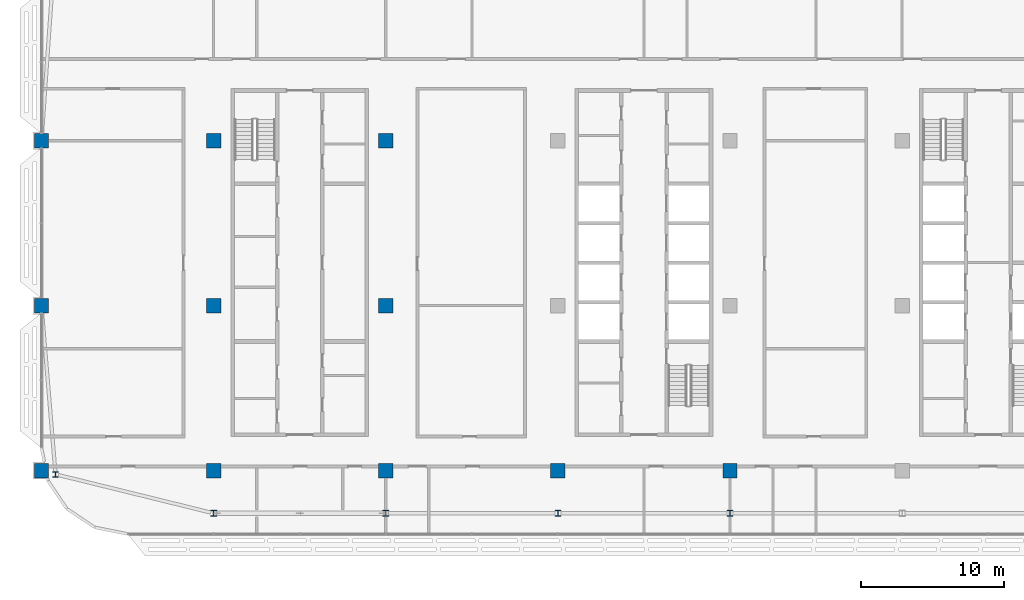
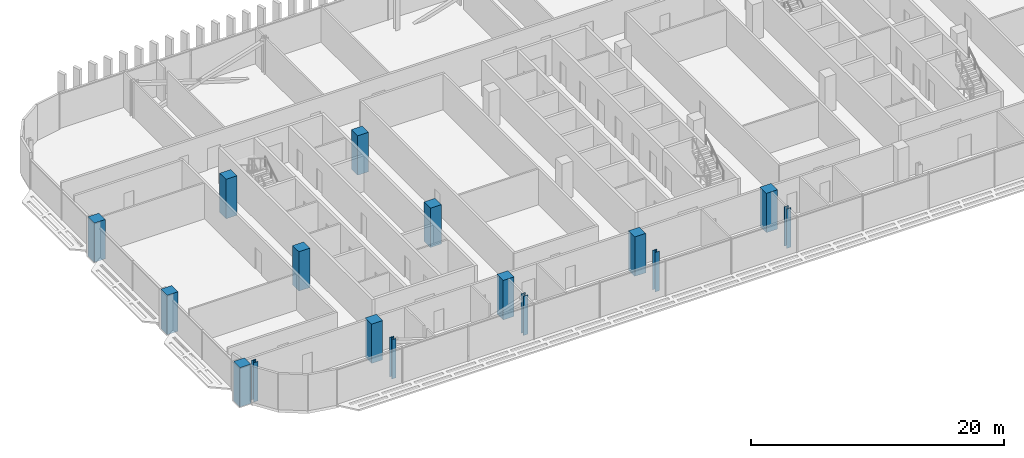
# One storey, part 1 of 32: 16 columns.
"""IFC4 building model written with IfcOpenShell, lengths in metres."""

import ifcopenshell
import ifcopenshell.guid

model = None  # the IFC model being written
_history = None  # IfcOwnerHistory: only IFC2X3 demands one
_inside = {}  # id of a spatial element -> (the spatial element, [elements in it])
_under = {}  # id of a project, library or spatial element -> (it, [spatial elements below it])
_declared = {}  # id of a project -> (the project, [libraries it declares])
_typed = {}  # id of a type object -> (the type object, [elements of that type])
_made_of = {}  # id of a material, layer set ... -> (it, [elements and type objects made of it])


def new_model(schema):
    """Start an empty IFC model of exactly this schema.

    Asked for "IFC4X3", IfcOpenShell would pick the latest addendum, in which some entities
    have other attributes; the version numbers below select the first issue.
    IFC2X3 requires an IfcOwnerHistory on every rooted entity: one is made here for all.
    """
    global model, _history
    if schema == "IFC4X3":
        model = ifcopenshell.file(schema_version=(4, 3, 0, 0))
    else:
        model = ifcopenshell.file(schema=schema)
    _inside.clear()
    _under.clear()
    _declared.clear()
    _typed.clear()
    _made_of.clear()
    _history = None
    if model.schema == "IFC2X3":
        org = make("IfcOrganization", Name="unknown")
        user = make(
            "IfcPersonAndOrganization",
            ThePerson=make("IfcPerson", FamilyName="unknown"),
            TheOrganization=org,
        )
        app = make(
            "IfcApplication",
            ApplicationDeveloper=org,
            Version="unknown",
            ApplicationFullName="unknown",
            ApplicationIdentifier="unknown",
        )
        _history = make(
            "IfcOwnerHistory",
            OwningUser=user,
            OwningApplication=app,
            ChangeAction="ADDED",
            CreationDate=0,
        )
    return model


def make(cls, **values):
    """One entity of the class cls with the attributes given. An attribute that is None is left unset."""
    return model.create_entity(
        cls, **{name: value for name, value in values.items() if value is not None}
    )


def rooted(cls, **values):
    """An entity with a GlobalId (a new one), such as an element, a storey or a relation."""
    return make(cls, GlobalId=ifcopenshell.guid.new(), OwnerHistory=_history, **values)


def si_unit(unit_type, name, prefix=None):
    """IfcSIUnit, for example si_unit("LENGTHUNIT", "METRE", prefix="MILLI")."""
    return make("IfcSIUnit", UnitType=unit_type, Prefix=prefix, Name=name)


def assignment(units):
    """IfcUnitAssignment: the units of a project."""
    return None if units is None else make("IfcUnitAssignment", Units=units)


def point(xyz):
    """IfcCartesianPoint."""
    return None if xyz is None else make("IfcCartesianPoint", Coordinates=xyz)


def direction(xyz):
    """IfcDirection."""
    return None if xyz is None else make("IfcDirection", DirectionRatios=xyz)


def frame(location, z_axis=None, x_axis=None):
    """IfcAxis2Placement3D, a coordinate frame: its origin and axes. An axis left out is left unset."""
    return make(
        "IfcAxis2Placement3D",
        Location=point(location),
        Axis=direction(z_axis),
        RefDirection=direction(x_axis),
    )


def frame_2d(location, x_axis=None):
    """IfcAxis2Placement2D, a coordinate frame in the plane: its origin and x axis."""
    return make(
        "IfcAxis2Placement2D", Location=point(location), RefDirection=direction(x_axis)
    )


def origin():
    """The frame at (0, 0, 0) with its axes left unset."""
    return frame((0.0, 0.0, 0.0))


def origin_2d():
    """The frame at (0, 0) in the plane with its x axis left unset."""
    return frame_2d((0.0, 0.0))


def place(relative_to, where):
    """IfcLocalPlacement: puts the frame where relative to a parent placement (None: the world)."""
    return make(
        "IfcLocalPlacement", PlacementRelTo=relative_to, RelativePlacement=where
    )


def context(
    kind, dimensions, precision=None, world=None, true_north=None, identifier=None
):
    """IfcGeometricRepresentationContext, for example the 3D "Model" context."""
    return make(
        "IfcGeometricRepresentationContext",
        ContextIdentifier=identifier,
        ContextType=kind,
        CoordinateSpaceDimension=dimensions,
        Precision=precision,
        WorldCoordinateSystem=world,
        TrueNorth=true_north,
    )


def subcontext(parent, identifier, kind, view, scale=None):
    """IfcGeometricRepresentationSubContext, for example "Body" below "Model"."""
    return make(
        "IfcGeometricRepresentationSubContext",
        ContextIdentifier=identifier,
        ContextType=kind,
        ParentContext=parent,
        TargetScale=scale,
        TargetView=view,
    )


def project(units=None, contexts=None):
    """IfcProject with its units and contexts."""
    return rooted(
        "IfcProject",
        Name="project",
        RepresentationContexts=contexts,
        UnitsInContext=assignment(units),
    )


def spatial(cls, under=None, at=None, **own):
    """A site, building, storey or space (cls), placed at a placement, below another one or the project."""
    s = rooted(cls, ObjectPlacement=at, **own)
    if under is not None:
        _under.setdefault(under.id(), (under, []))[1].append(s)
    return s


def profile(cls, at=None, kind="AREA", **sizes):
    """A parametric profile (cls). Its sizes go by their IFC names, for example OverallWidth=200.0."""
    return make(cls, ProfileType=kind, Position=at, **sizes)


def rectangle(**sizes):
    """IfcRectangleProfileDef."""
    return profile("IfcRectangleProfileDef", **sizes)


def i_section(**sizes):
    """IfcIShapeProfileDef."""
    return profile("IfcIShapeProfileDef", **sizes)


def extrude(swept, where, along, depth):
    """IfcExtrudedAreaSolid: the profile swept, set in the frame where, extruded along a direction by depth."""
    return make(
        "IfcExtrudedAreaSolid",
        SweptArea=swept,
        Position=where,
        ExtrudedDirection=direction(along),
        Depth=depth,
    )


def shape(context_of_items, identifier, shape_type, items):
    """IfcShapeRepresentation: the items that make up one representation, for example the "Body"."""
    return make(
        "IfcShapeRepresentation",
        ContextOfItems=context_of_items,
        RepresentationIdentifier=identifier,
        RepresentationType=shape_type,
        Items=items,
    )


def material(Name=None, Category=None):
    """IfcMaterial."""
    return make("IfcMaterial", Name=Name, Category=Category)


def material_profile(
    of_material, cross_section, Name=None, Category=None, Priority=None
):
    """IfcMaterialProfile: a cross section and its material."""
    return make(
        "IfcMaterialProfile",
        Name=Name,
        Material=of_material,
        Profile=cross_section,
        Priority=Priority,
        Category=Category,
    )


def profile_set(profiles, Name=None, composite=None):
    """IfcMaterialProfileSet."""
    return make(
        "IfcMaterialProfileSet",
        Name=Name,
        MaterialProfiles=profiles,
        CompositeProfile=composite,
    )


def made_of(thing, what):
    """Note that an element or type object is made of a material, layer set ...; save() writes the relation."""
    if what is not None:
        _made_of.setdefault(what.id(), (what, []))[1].append(thing)
    return thing


def type_object(cls, material=None, **own):
    """A type object (cls), such as IfcWallType, which elements share."""
    return made_of(rooted(cls, **own), material)


def element(
    cls,
    number,
    at=None,
    inside=None,
    cuts=None,
    type_object=None,
    material=None,
    context=None,
    identifier="Body",
    shape_type=None,
    held_by="IfcProductDefinitionShape",
    body=None,
    shapes=None,
    **own,
):
    """One element of the class cls, such as IfcWall. Its Tag is "e" and its number.

    at: its placement. inside: the storey or other place that contains it. cuts: it is an
    opening in that element (IfcRelVoidsElement). A single representation is given by context,
    identifier, shape_type and body (its items); several are given by shapes. held_by: the class
    of the entity that holds the representations. save() writes the other relations.
    """
    e = rooted(cls, Tag="e%d" % number, ObjectPlacement=at, **own)
    if body is not None:
        shapes = [shape(context, identifier, shape_type, body)]
    if shapes is not None:
        e.Representation = make(held_by, Representations=shapes)
    if inside is not None:
        _inside.setdefault(inside.id(), (inside, []))[1].append(e)
    if cuts is not None:
        rooted(
            "IfcRelVoidsElement", RelatingBuildingElement=cuts, RelatedOpeningElement=e
        )
    if type_object is not None:
        _typed.setdefault(type_object.id(), (type_object, []))[1].append(e)
    return made_of(e, material)


def aggregate(whole, parts):
    """IfcRelAggregates: a whole, such as a stair, and the parts it consists of."""
    return rooted("IfcRelAggregates", RelatingObject=whole, RelatedObjects=parts)


def save(model, path):
    """Write the relations noted so far, then the file.

    IfcRelAggregates (storeys below a building ...), IfcRelContainedInSpatialStructure (elements
    in a storey), IfcRelDefinesByType, IfcRelAssociatesMaterial and IfcRelDeclares: one each for
    every whole, place, type object, material and project.
    """
    for whole, parts in _under.values():
        aggregate(whole, parts)
    for where, things in _inside.values():
        rooted(
            "IfcRelContainedInSpatialStructure",
            RelatedElements=things,
            RelatingStructure=where,
        )
    for kind, things in _typed.values():
        rooted("IfcRelDefinesByType", RelatedObjects=things, RelatingType=kind)
    for what, things in _made_of.values():
        rooted("IfcRelAssociatesMaterial", RelatedObjects=things, RelatingMaterial=what)
    for by, libraries in _declared.values():
        rooted("IfcRelDeclares", RelatingContext=by, RelatedDefinitions=libraries)
    model.write(path)


model = new_model("IFC4")

# Units and contexts
model_context = context("Model", 3, precision=1e-05, world=origin(), true_north=direction((0.0, 1.0)))
body_context = subcontext(model_context, "Body", "Model", "MODEL_VIEW")
ifc_project = project(units=[si_unit("LENGTHUNIT", "METRE"), si_unit("AREAUNIT", "SQUARE_METRE"), si_unit("VOLUMEUNIT", "CUBIC_METRE"), si_unit("PLANEANGLEUNIT", "RADIAN"), si_unit("MASSUNIT", "GRAM", prefix="KILO")], contexts=[model_context])

# Site, building, storey
site_placement = place(None, origin())
site = spatial("IfcSite", under=ifc_project, at=site_placement, CompositionType="ELEMENT")
building_placement = place(site_placement, origin())
building = spatial("IfcBuilding", under=site, at=building_placement, Name="Mahtab Terrace Research Tower", CompositionType="ELEMENT")
storey_placement = place(building_placement, frame((0.0, 0.0, 240.0)))
storey = spatial("IfcBuildingStorey", under=building, at=storey_placement, Name="L58", CompositionType="ELEMENT", Elevation=240.0)

# Columns
ifc_material_1 = material(Name="Concrete C70/85", Category="concrete")
ifc_material_profile_1 = material_profile(ifc_material_1, rectangle(XDim=1.0, YDim=1.0, at=origin_2d()), Name="RC column 1000x1000")
ifc_profile_set_1 = profile_set([ifc_material_profile_1], Name="Concrete C70/85")
column_type_1 = type_object("IfcColumnType", Name="RC column 1000x1000", PredefinedType="COLUMN", material=ifc_profile_set_1)
for number, where, z_axis, x_axis, name in (
    (1, (-42.0, -11.5, -0.340087890625), (0.0, 0.0, 1.0), (1.0, 0.0, 0.0), "Column RC-1A L58"),
    (2, (-42.0, 0.0, -0.340087890625), (0.0, 0.0, 1.0), (1.0, 0.0, 0.0), "Column RC-1B L58"),
    (3, (-42.0, 11.5, -0.340087890625), (0.0, 0.0, 1.0), (1.0, 0.0, 0.0), "Column RC-1C L58"),
    (4, (-30.0, -11.5, -0.340087890625), (0.0, 0.0, 1.0), (1.0, 0.0, 0.0), "Column RC-2A L58"),
    (5, (-30.0, 0.0, -0.340087890625), (0.0, 0.0, 1.0), (1.0, 0.0, 0.0), "Column RC-2B L58"),
    (6, (-30.0, 11.5, -0.340087890625), (0.0, 0.0, 1.0), (1.0, 0.0, 0.0), "Column RC-2C L58"),
    (7, (-18.0, -11.5, -0.340087890625), (0.0, 0.0, 1.0), (1.0, 0.0, 0.0), "Column RC-3A L58"),
    (8, (-18.0, 0.0, -0.340087890625), (0.0, 0.0, 1.0), (1.0, 0.0, 0.0), "Column RC-3B L58"),
    (9, (-18.0, 11.5, -0.340087890625), (0.0, 0.0, 1.0), (1.0, 0.0, 0.0), "Column RC-3C L58"),
    (10, (-6.0, -11.5, -0.340087890625), (0.0, 0.0, 1.0), (1.0, 0.0, 0.0), "Column RC-4A L58"),
    (11, (6.0, -11.5, -0.340087890625), (0.0, 0.0, 1.0), (1.0, 0.0, 0.0), "Column RC-5A L58"),
):
    element("IfcColumn", number, at=place(storey_placement, frame(where, z_axis=z_axis, x_axis=x_axis)), inside=storey, type_object=column_type_1, Name=name, PredefinedType="COLUMN", context=body_context, shape_type="SweptSolid", body=[
        extrude(rectangle(XDim=1.0, YDim=1.0, at=origin_2d()), origin(), (0.0, 0.0, 1.0), 3.800048828125),
    ])
ifc_material_2 = material(Name="Steel ASTM A992 Gr 50", Category="steel")
ifc_material_profile_2 = material_profile(ifc_material_2, i_section(OverallWidth=0.398681640625, OverallDepth=0.385986328125, WebThickness=0.02099609375, FlangeThickness=0.033203125, at=origin_2d()), Name="W14X176")
ifc_profile_set_2 = profile_set([ifc_material_profile_2], Name="Steel ASTM A992 Gr 50")
column_type_2 = type_object("IfcColumnType", Name="W14x176 column CS14176", PredefinedType="COLUMN", material=ifc_profile_set_2)
for number, where, z_axis, x_axis, name in (
    (12, (-41.02099609375, -11.758056640625, -0.340087890625), (0.0, 0.0, 1.0), (1.0, 0.0, 0.0), "Column SC-061 L58"),
    (13, (-30.0, -14.472900390625, -0.340087890625), (0.0, 0.0, 1.0), (1.0, 0.0, 0.0), "Column SC-062 L58"),
    (14, (-18.0, -14.472900390625, -0.340087890625), (0.0, 0.0, 1.0), (1.0, 0.0, 0.0), "Column SC-063 L58"),
    (15, (-6.0, -14.472900390625, -0.340087890625), (0.0, 0.0, 1.0), (1.0, 0.0, 0.0), "Column SC-064 L58"),
    (16, (6.0, -14.472900390625, -0.340087890625), (0.0, 0.0, 1.0), (1.0, 0.0, 0.0), "Column SC-065 L58"),
):
    element("IfcColumn", number, at=place(storey_placement, frame(where, z_axis=z_axis, x_axis=x_axis)), inside=storey, type_object=column_type_2, Name=name, PredefinedType="COLUMN", context=body_context, shape_type="SweptSolid", body=[
        extrude(i_section(OverallWidth=0.398681640625, OverallDepth=0.385986328125, WebThickness=0.02099609375, FlangeThickness=0.033203125, at=origin_2d()), origin(), (0.0, 0.0, 1.0), 3.800048828125),
    ])

save(model, "model.ifc")
